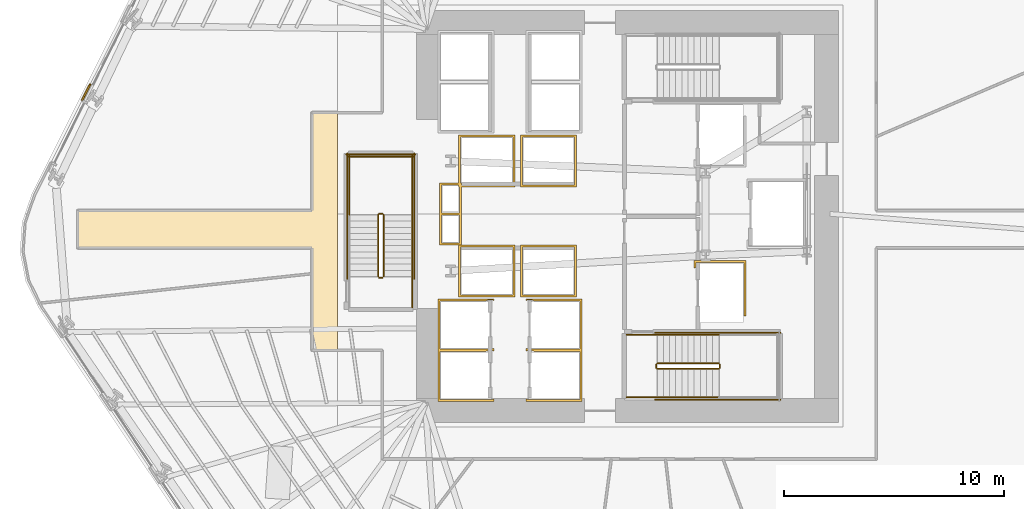
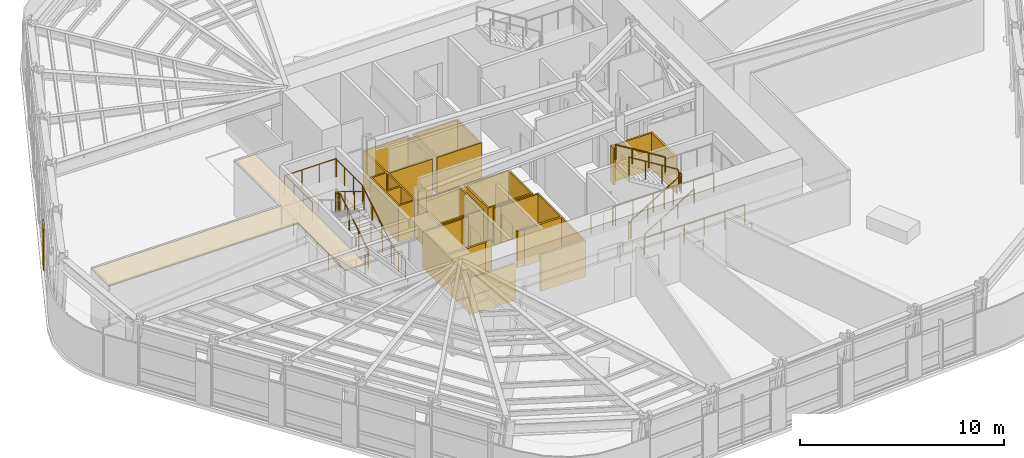
# One storey, part 11 of 15: 22 railings, 9 coverings.
"""IFC4 building model written with IfcOpenShell, lengths in metres."""

from ifc_helpers import new_model, si_unit, direction, frame, origin, origin_2d, place, context, subcontext, project, spatial, polyline, circle, outline, extrude, material, layer, layer_set, type_object, element, save


model = new_model("IFC4")

# Units and contexts
model_context = context("Model", 3, precision=1e-05, world=origin(), true_north=direction((0.0, 1.0)))
body_context = subcontext(model_context, "Body", "Model", "MODEL_VIEW")
ifc_project = project(units=[si_unit("LENGTHUNIT", "METRE"), si_unit("AREAUNIT", "SQUARE_METRE"), si_unit("VOLUMEUNIT", "CUBIC_METRE"), si_unit("PLANEANGLEUNIT", "RADIAN"), si_unit("MASSUNIT", "GRAM", prefix="KILO")], contexts=[model_context])

# Site, building, storey
site_placement = place(None, origin())
site = spatial("IfcSite", under=ifc_project, at=site_placement, CompositionType="ELEMENT")
building_placement = place(site_placement, origin())
building = spatial("IfcBuilding", under=site, at=building_placement, Name="Valkerne Bourse Tower", CompositionType="ELEMENT")
storey_placement = place(building_placement, frame((0.0, 0.0, 39.199951171875)))
storey = spatial("IfcBuildingStorey", under=building, at=storey_placement, Name="L09", CompositionType="ELEMENT", Elevation=39.199951171875)

# Coverings
ifc_material_1 = material(Name="Bronze Anodised Aluminium AA 6063-T6", Category="aluminium")
ifc_layer_1 = layer(ifc_material_1, 0.030029296875)
ifc_layer_set_1 = layer_set([ifc_layer_1], Name="Bronze Anodised Aluminium AA 6063-T6")
covering_type_1 = type_object("IfcCoveringType", Name="COV-CEIL-METAL", PredefinedType="CEILING", material=ifc_layer_set_1)
covering_1_placement = place(storey_placement, frame((0.0, 0.0, 3.22998046875)))
element("IfcCovering", 1, at=covering_1_placement, inside=storey, type_object=covering_type_1, Name="L09 Suspended Ceiling 02", PredefinedType="CEILING", context=body_context, shape_type="SweptSolid", body=[
    extrude(outline(polyline([(32.4541015625, 20.803955078125), (32.4541015625, 25.4541015625), (21.803955078125, 25.4541015625), (21.803955078125, 27.14599609375), (32.4541015625, 27.14599609375), (32.4541015625, 31.595947265625), (33.60009765625, 31.595947265625), (33.60009765625, 20.803955078125), (32.4541015625, 20.803955078125)])), origin(), (0.0, 0.0, 1.0), 0.025146484375),
])
ifc_layer_2 = layer(ifc_material_1, 0.06005859375)
ifc_layer_set_2 = layer_set([ifc_layer_2], Name="Bronze Anodised Aluminium AA 6063-T6")
covering_type_2 = type_object("IfcCoveringType", Name="COV-CRN-ALUM", PredefinedType="CLADDING", material=ifc_layer_set_2)
covering_2_placement = place(storey_placement, origin())
element("IfcCovering", 2, at=covering_2_placement, inside=storey, type_object=covering_type_2, Name="L09 Wind-Shaped Corner Aluminium Cladding 12", PredefinedType="CLADDING", context=body_context, shape_type="SweptSolid", body=[
    extrude(outline(polyline([(22.326904296875, 32.925537109375), (22.398681640625, 32.889892578125), (22.0224609375, 32.138916015625), (21.95068359375, 32.174560546875), (22.326904296875, 32.925537109375)])), origin(), (0.0, 0.0, 1.0), 2.5),
])
ifc_material_2 = material(Name="Gypsum Shaftwall Liner Board", Category="gypsum")
ifc_layer_3 = layer(ifc_material_2, 0.080078125)
ifc_layer_set_3 = layer_set([ifc_layer_3], Name="Gypsum Shaftwall Liner Board")
covering_type_3 = type_object("IfcCoveringType", Name="COV-SHF-CLAD", PredefinedType="CLADDING", material=ifc_layer_set_3)
covering_3_placement = place(storey_placement, origin())
element("IfcCovering", 3, at=covering_3_placement, inside=storey, type_object=covering_type_3, Name="L09 Hoistway & Riser Shaftwall Liner 01", PredefinedType="CLADDING", context=body_context, shape_type="SweptSolid", body=[
    extrude(outline(polyline([(38.169921875, 23.1298828125), (40.72998046875, 23.1298828125), (40.72998046875, 23.052001953125), (40.72216796875, 23.0556640625), (40.6806640625, 23.070556640625), (40.6376953125, 23.081298828125), (40.593994140625, 23.087890625), (40.550048828125, 23.090087890625), (40.505859375, 23.087890625), (40.462158203125, 23.081298828125), (40.41943359375, 23.070556640625), (40.377685546875, 23.0556640625), (40.344482421875, 23.0400390625), (38.260009765625, 23.0400390625), (38.260009765625, 20.860107421875), (40.456787109375, 20.860107421875), (40.462158203125, 20.858642578125), (40.505859375, 20.852294921875), (40.550048828125, 20.85009765625), (40.593994140625, 20.852294921875), (40.6376953125, 20.858642578125), (40.6806640625, 20.869384765625), (40.72216796875, 20.88427734375), (40.72998046875, 20.887939453125), (40.72998046875, 20.830078125), (40.72998046875, 20.77001953125), (40.72998046875, 20.752197265625), (40.72216796875, 20.755615234375), (40.6806640625, 20.7705078125), (40.6376953125, 20.781494140625), (40.593994140625, 20.787841796875), (40.550048828125, 20.7900390625), (40.505859375, 20.787841796875), (40.462158203125, 20.781494140625), (40.41943359375, 20.7705078125), (40.377685546875, 20.755615234375), (40.344482421875, 20.739990234375), (38.260009765625, 20.739990234375), (38.260009765625, 18.56005859375), (40.456787109375, 18.56005859375), (40.462158203125, 18.55859375), (40.505859375, 18.55224609375), (40.550048828125, 18.550048828125), (40.593994140625, 18.55224609375), (40.6376953125, 18.55859375), (40.6806640625, 18.5693359375), (40.72216796875, 18.584228515625), (40.72998046875, 18.587890625), (40.72998046875, 18.469970703125), (38.169921875, 18.469970703125), (38.169921875, 20.77001953125), (38.169921875, 20.830078125), (38.169921875, 23.1298828125)])), origin(), (0.0, 0.0, 1.0), 2.179931640625),
])
covering_4_placement = place(storey_placement, origin())
element("IfcCovering", 4, at=covering_4_placement, inside=storey, type_object=covering_type_3, Name="L09 Hoistway & Riser Shaftwall Liner 02", PredefinedType="CLADDING", context=body_context, shape_type="SweptSolid", body=[
    extrude(outline(polyline([(41.679931640625, 23.219970703125), (39.1201171875, 23.219970703125), (39.1201171875, 25.580078125), (41.679931640625, 25.580078125), (41.679931640625, 23.219970703125)]), holes=[polyline([(39.2099609375, 25.489990234375), (39.2099609375, 23.31005859375), (41.590087890625, 23.31005859375), (41.590087890625, 25.489990234375), (39.2099609375, 25.489990234375)])]), origin(), (0.0, 0.0, 1.0), 2.179931640625),
])
covering_5_placement = place(storey_placement, origin())
element("IfcCovering", 5, at=covering_5_placement, inside=storey, type_object=covering_type_3, Name="L09 Hoistway & Riser Shaftwall Liner 03", PredefinedType="CLADDING", context=body_context, shape_type="SweptSolid", body=[
    extrude(outline(polyline([(44.47998046875, 23.219970703125), (41.919921875, 23.219970703125), (41.919921875, 25.580078125), (44.47998046875, 25.580078125), (44.47998046875, 23.219970703125)]), holes=[polyline([(42.010009765625, 25.489990234375), (42.010009765625, 23.31005859375), (44.389892578125, 23.31005859375), (44.389892578125, 25.489990234375), (42.010009765625, 25.489990234375)])]), origin(), (0.0, 0.0, 1.0), 2.179931640625),
])
covering_6_placement = place(storey_placement, origin())
element("IfcCovering", 6, at=covering_6_placement, inside=storey, type_object=covering_type_3, Name="L09 Hoistway & Riser Shaftwall Liner 04", PredefinedType="CLADDING", context=body_context, shape_type="SweptSolid", body=[
    extrude(outline(polyline([(38.239990234375, 28.409912109375), (39.1201171875, 28.409912109375), (39.1201171875, 30.580078125), (41.679931640625, 30.580078125), (41.679931640625, 28.219970703125), (39.239990234375, 28.219970703125), (39.239990234375, 27.0400390625), (39.239990234375, 26.9599609375), (39.239990234375, 25.590087890625), (38.239990234375, 25.590087890625), (38.239990234375, 26.9599609375), (38.239990234375, 27.0400390625), (38.239990234375, 28.409912109375)]), holes=[polyline([(39.2099609375, 30.489990234375), (39.2099609375, 28.409912109375), (39.239990234375, 28.409912109375), (39.239990234375, 28.31005859375), (41.590087890625, 28.31005859375), (41.590087890625, 30.489990234375), (39.2099609375, 30.489990234375)]), polyline([(38.330078125, 26.949951171875), (38.330078125, 25.679931640625), (39.14990234375, 25.679931640625), (39.14990234375, 26.949951171875), (38.330078125, 26.949951171875)]), polyline([(39.1201171875, 28.219970703125), (39.1201171875, 28.320068359375), (38.330078125, 28.320068359375), (38.330078125, 27.050048828125), (39.14990234375, 27.050048828125), (39.14990234375, 28.219970703125), (39.1201171875, 28.219970703125)])]), origin(), (0.0, 0.0, 1.0), 2.179931640625),
])
covering_7_placement = place(storey_placement, origin())
element("IfcCovering", 7, at=covering_7_placement, inside=storey, type_object=covering_type_3, Name="L09 Hoistway & Riser Shaftwall Liner 06", PredefinedType="CLADDING", context=body_context, shape_type="SweptSolid", body=[
    extrude(outline(polyline([(42.169921875, 20.830078125), (42.169921875, 20.887939453125), (42.177734375, 20.88427734375), (42.219482421875, 20.869384765625), (42.26220703125, 20.858642578125), (42.305908203125, 20.852294921875), (42.35009765625, 20.85009765625), (42.39404296875, 20.852294921875), (42.437744140625, 20.858642578125), (42.443115234375, 20.860107421875), (44.639892578125, 20.860107421875), (44.639892578125, 23.0400390625), (42.555419921875, 23.0400390625), (42.522216796875, 23.0556640625), (42.480712890625, 23.070556640625), (42.437744140625, 23.081298828125), (42.39404296875, 23.087890625), (42.35009765625, 23.090087890625), (42.305908203125, 23.087890625), (42.26220703125, 23.081298828125), (42.219482421875, 23.070556640625), (42.177734375, 23.0556640625), (42.169921875, 23.052001953125), (42.169921875, 23.1298828125), (44.72998046875, 23.1298828125), (44.72998046875, 20.830078125), (44.72998046875, 20.77001953125), (44.72998046875, 18.469970703125), (42.169921875, 18.469970703125), (42.169921875, 18.587890625), (42.177734375, 18.584228515625), (42.219482421875, 18.5693359375), (42.26220703125, 18.55859375), (42.305908203125, 18.55224609375), (42.35009765625, 18.550048828125), (42.39404296875, 18.55224609375), (42.437744140625, 18.55859375), (42.443115234375, 18.56005859375), (44.639892578125, 18.56005859375), (44.639892578125, 20.739990234375), (42.555419921875, 20.739990234375), (42.522216796875, 20.755615234375), (42.480712890625, 20.7705078125), (42.437744140625, 20.781494140625), (42.39404296875, 20.787841796875), (42.35009765625, 20.7900390625), (42.305908203125, 20.787841796875), (42.26220703125, 20.781494140625), (42.219482421875, 20.7705078125), (42.177734375, 20.755615234375), (42.169921875, 20.752197265625), (42.169921875, 20.77001953125), (42.169921875, 20.830078125)])), origin(), (0.0, 0.0, 1.0), 2.179931640625),
])
covering_8_placement = place(storey_placement, origin())
element("IfcCovering", 8, at=covering_8_placement, inside=storey, type_object=covering_type_3, Name="L09 Hoistway & Riser Shaftwall Liner 07", PredefinedType="CLADDING", context=body_context, shape_type="SweptSolid", body=[
    extrude(outline(polyline([(52.179931640625, 22.35009765625), (52.090087890625, 22.35009765625), (52.090087890625, 24.7900390625), (49.909912109375, 24.7900390625), (49.909912109375, 24.560791015625), (49.869384765625, 24.550537109375), (49.827880859375, 24.53564453125), (49.820068359375, 24.531982421875), (49.820068359375, 24.8798828125), (52.179931640625, 24.8798828125), (52.179931640625, 22.35009765625)])), origin(), (0.0, 0.0, 1.0), 2.179931640625),
])
covering_9_placement = place(storey_placement, origin())
element("IfcCovering", 9, at=covering_9_placement, inside=storey, type_object=covering_type_3, Name="L09 Hoistway & Riser Shaftwall Liner 09", PredefinedType="CLADDING", context=body_context, shape_type="SweptSolid", body=[
    extrude(outline(polyline([(44.47998046875, 28.219970703125), (41.919921875, 28.219970703125), (41.919921875, 30.580078125), (44.47998046875, 30.580078125), (44.47998046875, 28.219970703125)]), holes=[polyline([(42.010009765625, 30.489990234375), (42.010009765625, 28.31005859375), (44.389892578125, 28.31005859375), (44.389892578125, 30.489990234375), (42.010009765625, 30.489990234375)])]), origin(), (0.0, 0.0, 1.0), 2.179931640625),
])

# Railings
ifc_material_3 = material(Name="Galvanised Painted Steel", Category="steel")
railing_type_1 = type_object("IfcRailingType", Name="RLG-ST-GUARD-1120", PredefinedType="GUARDRAIL", material=ifc_material_3)
railing_1_placement = place(storey_placement, frame((48.14990234375, 19.949951171875, 0.1728515625)))
element("IfcRailing", 10, at=railing_1_placement, inside=storey, type_object=railing_type_1, Name="L09 ST-1 stair guard 1", PredefinedType="GUARDRAIL", context=body_context, shape_type="SweptSolid", body=[
    extrude(circle(Radius=0.02392578125, at=origin_2d()), frame((0.0, 0.0, 1.09619140625), z_axis=(0.851089632645, 0.0, 0.525020415988), x_axis=(0.0, 1.0, 0.0)), (0.0, 0.0, 1.0), 3.2900390625),
    extrude(circle(Radius=0.02099609375, at=origin_2d()), origin(), (0.0, 0.0, 1.0), 1.072021484375),
    extrude(circle(Radius=0.02099609375, at=origin_2d()), frame((0.933349609375, 0.0, 0.57568359375)), (0.0, 0.0, 1.0), 1.072021484375),
    extrude(circle(Radius=0.02099609375, at=origin_2d()), frame((1.86669921875, 0.0, 1.151611328125)), (0.0, 0.0, 1.0), 1.072021484375),
    extrude(circle(Radius=0.02099609375, at=origin_2d()), frame((2.800048828125, 0.0, 1.727294921875)), (0.0, 0.0, 1.0), 1.072021484375),
])
railing_2_placement = place(storey_placement, frame((51.0, 20.0, 1.900146484375)))
element("IfcRailing", 11, at=railing_2_placement, inside=storey, type_object=railing_type_1, Name="L09 ST-1 stair guard 2", PredefinedType="GUARDRAIL", context=body_context, shape_type="SweptSolid", body=[
    extrude(circle(Radius=0.02392578125, at=origin_2d()), frame((0.0, 0.0, 1.09619140625), z_axis=(0.0, 1.0, 0.0), x_axis=(-1.0, 0.0, 0.0)), (0.0, 0.0, 1.0), 0.14990234375),
    extrude(circle(Radius=0.02099609375, at=origin_2d()), origin(), (0.0, 0.0, 1.0), 1.072021484375),
    extrude(circle(Radius=0.02099609375, at=origin_2d()), frame((0.0, 0.14990234375, 0.0)), (0.0, 0.0, 1.0), 1.072021484375),
])
railing_3_placement = place(storey_placement, frame((50.949951171875, 20.199951171875, 2.07275390625)))
element("IfcRailing", 12, at=railing_3_placement, inside=storey, type_object=railing_type_1, Name="L09 ST-1 stair guard 6", PredefinedType="GUARDRAIL", context=body_context, shape_type="SweptSolid", body=[
    extrude(circle(Radius=0.02392578125, at=origin_2d()), frame((0.0, 0.0, 1.09619140625), z_axis=(-0.851089632645, 0.0, 0.525020415988), x_axis=(0.0, -1.0, 0.0)), (0.0, 0.0, 1.0), 3.2900390625),
    extrude(circle(Radius=0.02099609375, at=origin_2d()), origin(), (0.0, 0.0, 1.0), 1.072021484375),
    extrude(circle(Radius=0.02099609375, at=origin_2d()), frame((-0.933349609375, 0.0, 0.57568359375)), (0.0, 0.0, 1.0), 1.072021484375),
    extrude(circle(Radius=0.02099609375, at=origin_2d()), frame((-1.86669921875, 0.0, 1.151611328125)), (0.0, 0.0, 1.0), 1.072021484375),
    extrude(circle(Radius=0.02099609375, at=origin_2d()), frame((-2.800048828125, 0.0, 1.727294921875)), (0.0, 0.0, 1.0), 1.072021484375),
])
railing_4_placement = place(storey_placement, frame((48.10009765625, 20.0, 0.0)))
element("IfcRailing", 13, at=railing_4_placement, inside=storey, type_object=railing_type_1, Name="L09 ST-1 stair guard 7", PredefinedType="GUARDRAIL", context=body_context, shape_type="SweptSolid", body=[
    extrude(circle(Radius=0.02392578125, at=origin_2d()), frame((0.0, 0.0, 1.09619140625), z_axis=(0.0, 1.0, 0.0), x_axis=(-1.0, 0.0, 0.0)), (0.0, 0.0, 1.0), 0.14990234375),
    extrude(circle(Radius=0.02099609375, at=origin_2d()), origin(), (0.0, 0.0, 1.0), 1.072021484375),
    extrude(circle(Radius=0.02099609375, at=origin_2d()), frame((0.0, 0.14990234375, 0.0)), (0.0, 0.0, 1.0), 1.072021484375),
])
for number, where, name in (
    (14, (46.75, 18.64990234375, 0.0), "L09 ST-1 stair guard 8"),
    (15, (46.75, 21.5, 0.0), "L09 ST-1 stair guard 9"),
):
    element("IfcRailing", number, at=place(storey_placement, frame(where)), inside=storey, type_object=railing_type_1, Name=name, PredefinedType="GUARDRAIL", context=body_context, shape_type="SweptSolid", body=[
        extrude(circle(Radius=0.02392578125, at=origin_2d()), frame((0.0, 0.0, 1.09619140625), z_axis=(1.0, 0.0, 0.0), x_axis=(0.0, 1.0, 0.0)), (0.0, 0.0, 1.0), 1.39990234375),
        extrude(circle(Radius=0.02099609375, at=origin_2d()), origin(), (0.0, 0.0, 1.0), 1.072021484375),
        extrude(circle(Radius=0.02099609375, at=origin_2d()), frame((0.699951171875, 0.0, 0.0)), (0.0, 0.0, 1.0), 1.072021484375),
        extrude(circle(Radius=0.02099609375, at=origin_2d()), frame((1.39990234375, 0.0, 0.0)), (0.0, 0.0, 1.0), 1.072021484375),
    ])
for number, where, name in (
    (16, (48.050048828125, 18.550048828125, 0.0), "L09 ST-1 stair guard 10"),
    (17, (48.050048828125, 21.60009765625, 0.0), "L09 ST-1 stair guard 11"),
):
    element("IfcRailing", number, at=place(storey_placement, frame(where)), inside=storey, type_object=railing_type_1, Name=name, PredefinedType="GUARDRAIL", context=body_context, shape_type="SweptSolid", body=[
        extrude(circle(Radius=0.02392578125, at=origin_2d()), frame((0.0, 0.0, 1.09619140625), z_axis=(1.0, 0.0, 0.0), x_axis=(0.0, 1.0, 0.0)), (0.0, 0.0, 1.0), 5.699951171875),
        extrude(circle(Radius=0.02099609375, at=origin_2d()), origin(), (0.0, 0.0, 1.0), 1.072021484375),
        extrude(circle(Radius=0.02099609375, at=origin_2d()), frame((1.139892578125, 0.0, 0.0)), (0.0, 0.0, 1.0), 1.072021484375),
        extrude(circle(Radius=0.02099609375, at=origin_2d()), frame((2.280029296875, 0.0, 0.0)), (0.0, 0.0, 1.0), 1.072021484375),
        extrude(circle(Radius=0.02099609375, at=origin_2d()), frame((3.419921875, 0.0, 0.0)), (0.0, 0.0, 1.0), 1.072021484375),
        extrude(circle(Radius=0.02099609375, at=origin_2d()), frame((4.56005859375, 0.0, 0.0)), (0.0, 0.0, 1.0), 1.072021484375),
        extrude(circle(Radius=0.02099609375, at=origin_2d()), frame((5.699951171875, 0.0, 0.0)), (0.0, 0.0, 1.0), 1.072021484375),
    ])
railing_5_placement = place(storey_placement, frame((35.699951171875, 24.14990234375, 0.1728515625)))
element("IfcRailing", 18, at=railing_5_placement, inside=storey, type_object=railing_type_1, Name="L09 ST-3 stair guard 1", PredefinedType="GUARDRAIL", context=body_context, shape_type="SweptSolid", body=[
    extrude(circle(Radius=0.02392578125, at=origin_2d()), frame((0.0, 0.0, 1.09619140625), z_axis=(0.0, 0.851089632645, 0.525020415988), x_axis=(-1.0, 0.0, 0.0)), (0.0, 0.0, 1.0), 3.2900390625),
    extrude(circle(Radius=0.02099609375, at=origin_2d()), origin(), (0.0, 0.0, 1.0), 1.072021484375),
    extrude(circle(Radius=0.02099609375, at=origin_2d()), frame((0.0, 0.933349609375, 0.57568359375)), (0.0, 0.0, 1.0), 1.072021484375),
    extrude(circle(Radius=0.02099609375, at=origin_2d()), frame((0.0, 1.86669921875, 1.151611328125)), (0.0, 0.0, 1.0), 1.072021484375),
    extrude(circle(Radius=0.02099609375, at=origin_2d()), frame((0.0, 2.800048828125, 1.727294921875)), (0.0, 0.0, 1.0), 1.072021484375),
])
railing_6_placement = place(storey_placement, frame((35.64990234375, 27.0, 1.900146484375)))
element("IfcRailing", 19, at=railing_6_placement, inside=storey, type_object=railing_type_1, Name="L09 ST-3 stair guard 2", PredefinedType="GUARDRAIL", context=body_context, shape_type="SweptSolid", body=[
    extrude(circle(Radius=0.02392578125, at=origin_2d()), frame((0.0, 0.0, 1.09619140625), z_axis=(-1.0, 0.0, 0.0), x_axis=(0.0, -1.0, 0.0)), (0.0, 0.0, 1.0), 0.14990234375),
    extrude(circle(Radius=0.02099609375, at=origin_2d()), origin(), (0.0, 0.0, 1.0), 1.072021484375),
    extrude(circle(Radius=0.02099609375, at=origin_2d()), frame((-0.14990234375, 0.0, 0.0)), (0.0, 0.0, 1.0), 1.072021484375),
])
for number, where, name in (
    (20, (37.0, 26.949951171875, 1.900146484375), "L09 ST-3 stair guard 3"),
    (21, (34.14990234375, 26.949951171875, 1.900146484375), "L09 ST-3 stair guard 4"),
):
    element("IfcRailing", number, at=place(storey_placement, frame(where)), inside=storey, type_object=railing_type_1, Name=name, PredefinedType="GUARDRAIL", context=body_context, shape_type="SweptSolid", body=[
        extrude(circle(Radius=0.02392578125, at=origin_2d()), frame((0.0, 0.0, 1.09619140625), z_axis=(0.0, 1.0, 0.0), x_axis=(-1.0, 0.0, 0.0)), (0.0, 0.0, 1.0), 2.699951171875),
        extrude(circle(Radius=0.02099609375, at=origin_2d()), origin(), (0.0, 0.0, 1.0), 1.072021484375),
        extrude(circle(Radius=0.02099609375, at=origin_2d()), frame((0.0, 0.89990234375, 0.0)), (0.0, 0.0, 1.0), 1.072021484375),
        extrude(circle(Radius=0.02099609375, at=origin_2d()), frame((0.0, 1.800048828125, 0.0)), (0.0, 0.0, 1.0), 1.072021484375),
        extrude(circle(Radius=0.02099609375, at=origin_2d()), frame((0.0, 2.699951171875, 0.0)), (0.0, 0.0, 1.0), 1.072021484375),
    ])
railing_7_placement = place(storey_placement, frame((37.050048828125, 29.60009765625, 1.900146484375)))
element("IfcRailing", 22, at=railing_7_placement, inside=storey, type_object=railing_type_1, Name="L09 ST-3 stair guard 5", PredefinedType="GUARDRAIL", context=body_context, shape_type="SweptSolid", body=[
    extrude(circle(Radius=0.02392578125, at=origin_2d()), frame((0.0, 0.0, 1.09619140625), z_axis=(-1.0, 0.0, 0.0), x_axis=(0.0, -1.0, 0.0)), (0.0, 0.0, 1.0), 2.949951171875),
    extrude(circle(Radius=0.02099609375, at=origin_2d()), origin(), (0.0, 0.0, 1.0), 1.072021484375),
    extrude(circle(Radius=0.02099609375, at=origin_2d()), frame((-0.9833984375, 0.0, 0.0)), (0.0, 0.0, 1.0), 1.072021484375),
    extrude(circle(Radius=0.02099609375, at=origin_2d()), frame((-1.966552734375, 0.0, 0.0)), (0.0, 0.0, 1.0), 1.072021484375),
    extrude(circle(Radius=0.02099609375, at=origin_2d()), frame((-2.949951171875, 0.0, 0.0)), (0.0, 0.0, 1.0), 1.072021484375),
])
railing_8_placement = place(storey_placement, frame((35.449951171875, 26.949951171875, 2.07275390625)))
element("IfcRailing", 23, at=railing_8_placement, inside=storey, type_object=railing_type_1, Name="L09 ST-3 stair guard 6", PredefinedType="GUARDRAIL", context=body_context, shape_type="SweptSolid", body=[
    extrude(circle(Radius=0.02392578125, at=origin_2d()), frame((0.0, 0.0, 1.09619140625), z_axis=(0.0, -0.851089632645, 0.525020415988), x_axis=(1.0, 0.0, 0.0)), (0.0, 0.0, 1.0), 3.2900390625),
    extrude(circle(Radius=0.02099609375, at=origin_2d()), origin(), (0.0, 0.0, 1.0), 1.072021484375),
    extrude(circle(Radius=0.02099609375, at=origin_2d()), frame((0.0, -0.933349609375, 0.57568359375)), (0.0, 0.0, 1.0), 1.072021484375),
    extrude(circle(Radius=0.02099609375, at=origin_2d()), frame((0.0, -1.86669921875, 1.151611328125)), (0.0, 0.0, 1.0), 1.072021484375),
    extrude(circle(Radius=0.02099609375, at=origin_2d()), frame((0.0, -2.800048828125, 1.727294921875)), (0.0, 0.0, 1.0), 1.072021484375),
])
railing_9_placement = place(storey_placement, frame((35.64990234375, 24.10009765625, 0.0)))
element("IfcRailing", 24, at=railing_9_placement, inside=storey, type_object=railing_type_1, Name="L09 ST-3 stair guard 7", PredefinedType="GUARDRAIL", context=body_context, shape_type="SweptSolid", body=[
    extrude(circle(Radius=0.02392578125, at=origin_2d()), frame((0.0, 0.0, 1.09619140625), z_axis=(-1.0, 0.0, 0.0), x_axis=(0.0, -1.0, 0.0)), (0.0, 0.0, 1.0), 0.14990234375),
    extrude(circle(Radius=0.02099609375, at=origin_2d()), origin(), (0.0, 0.0, 1.0), 1.072021484375),
    extrude(circle(Radius=0.02099609375, at=origin_2d()), frame((-0.14990234375, 0.0, 0.0)), (0.0, 0.0, 1.0), 1.072021484375),
])
railing_10_placement = place(storey_placement, frame((37.0, 22.75, 0.0)))
element("IfcRailing", 25, at=railing_10_placement, inside=storey, type_object=railing_type_1, Name="L09 ST-3 stair guard 8", PredefinedType="GUARDRAIL", context=body_context, shape_type="SweptSolid", body=[
    extrude(circle(Radius=0.02392578125, at=origin_2d()), frame((0.0, 0.0, 1.09619140625), z_axis=(0.0, 1.0, 0.0), x_axis=(-1.0, 0.0, 0.0)), (0.0, 0.0, 1.0), 1.39990234375),
    extrude(circle(Radius=0.02099609375, at=origin_2d()), origin(), (0.0, 0.0, 1.0), 1.072021484375),
    extrude(circle(Radius=0.02099609375, at=origin_2d()), frame((0.0, 0.699951171875, 0.0)), (0.0, 0.0, 1.0), 1.072021484375),
    extrude(circle(Radius=0.02099609375, at=origin_2d()), frame((0.0, 1.39990234375, 0.0)), (0.0, 0.0, 1.0), 1.072021484375),
])
for number, where, name in (
    (26, (37.10009765625, 24.050048828125, 0.0), "L09 ST-3 stair guard 10"),
    (27, (34.050048828125, 24.050048828125, 0.0), "L09 ST-3 stair guard 11"),
):
    element("IfcRailing", number, at=place(storey_placement, frame(where)), inside=storey, type_object=railing_type_1, Name=name, PredefinedType="GUARDRAIL", context=body_context, shape_type="SweptSolid", body=[
        extrude(circle(Radius=0.02392578125, at=origin_2d()), frame((0.0, 0.0, 1.09619140625), z_axis=(0.0, 1.0, 0.0), x_axis=(-1.0, 0.0, 0.0)), (0.0, 0.0, 1.0), 5.699951171875),
        extrude(circle(Radius=0.02099609375, at=origin_2d()), origin(), (0.0, 0.0, 1.0), 1.072021484375),
        extrude(circle(Radius=0.02099609375, at=origin_2d()), frame((0.0, 1.139892578125, 0.0)), (0.0, 0.0, 1.0), 1.072021484375),
        extrude(circle(Radius=0.02099609375, at=origin_2d()), frame((0.0, 2.280029296875, 0.0)), (0.0, 0.0, 1.0), 1.072021484375),
        extrude(circle(Radius=0.02099609375, at=origin_2d()), frame((0.0, 3.419921875, 0.0)), (0.0, 0.0, 1.0), 1.072021484375),
        extrude(circle(Radius=0.02099609375, at=origin_2d()), frame((0.0, 4.56005859375, 0.0)), (0.0, 0.0, 1.0), 1.072021484375),
        extrude(circle(Radius=0.02099609375, at=origin_2d()), frame((0.0, 5.699951171875, 0.0)), (0.0, 0.0, 1.0), 1.072021484375),
    ])
railing_11_placement = place(storey_placement, frame((37.14990234375, 29.699951171875, 0.0)))
element("IfcRailing", 28, at=railing_11_placement, inside=storey, type_object=railing_type_1, Name="L09 ST-3 stair guard 12", PredefinedType="GUARDRAIL", context=body_context, shape_type="SweptSolid", body=[
    extrude(circle(Radius=0.02392578125, at=origin_2d()), frame((0.0, 0.0, 1.09619140625), z_axis=(-1.0, 0.0, 0.0), x_axis=(0.0, -1.0, 0.0)), (0.0, 0.0, 1.0), 3.14990234375),
    extrude(circle(Radius=0.02099609375, at=origin_2d()), origin(), (0.0, 0.0, 1.0), 1.072021484375),
    extrude(circle(Radius=0.02099609375, at=origin_2d()), frame((-1.050048828125, 0.0, 0.0)), (0.0, 0.0, 1.0), 1.072021484375),
    extrude(circle(Radius=0.02099609375, at=origin_2d()), frame((-2.099853515625, 0.0, 0.0)), (0.0, 0.0, 1.0), 1.072021484375),
    extrude(circle(Radius=0.02099609375, at=origin_2d()), frame((-3.14990234375, 0.0, 0.0)), (0.0, 0.0, 1.0), 1.072021484375),
])
ifc_material_4 = material(Name="Stainless Steel AISI 316", Category="steel")
railing_type_2 = type_object("IfcRailingType", Name="RLG-ST-HANDRAIL-900", PredefinedType="HANDRAIL", material=ifc_material_4)
railing_12_placement = place(storey_placement, frame((48.14990234375, 18.64990234375, 0.345458984375)))
element("IfcRailing", 29, at=railing_12_placement, inside=storey, type_object=railing_type_2, Name="L09 ST-1 stair handrail 1", PredefinedType="HANDRAIL", context=body_context, shape_type="SweptSolid", body=[
    extrude(circle(Radius=0.02392578125, at=origin_2d()), frame((0.0, 0.0, 0.8759765625), z_axis=(0.851089632645, 0.0, 0.525020415988), x_axis=(0.0, 1.0, 0.0)), (0.0, 0.0, 1.0), 3.2900390625),
    extrude(circle(Radius=0.02099609375, at=origin_2d()), origin(), (0.0, 0.0, 1.0), 0.851806640625),
    extrude(circle(Radius=0.02099609375, at=origin_2d()), frame((0.933349609375, 0.0, 0.57568359375)), (0.0, 0.0, 1.0), 0.851806640625),
    extrude(circle(Radius=0.02099609375, at=origin_2d()), frame((1.86669921875, 0.0, 1.151611328125)), (0.0, 0.0, 1.0), 0.851806640625),
    extrude(circle(Radius=0.02099609375, at=origin_2d()), frame((2.800048828125, 0.0, 1.727294921875)), (0.0, 0.0, 1.0), 0.851806640625),
])
railing_13_placement = place(storey_placement, frame((50.949951171875, 21.5, 2.24560546875)))
element("IfcRailing", 30, at=railing_13_placement, inside=storey, type_object=railing_type_2, Name="L09 ST-1 stair handrail 2", PredefinedType="HANDRAIL", context=body_context, shape_type="SweptSolid", body=[
    extrude(circle(Radius=0.02392578125, at=origin_2d()), frame((0.0, 0.0, 0.8759765625), z_axis=(-0.851122791225, 0.0, 0.524966660138), x_axis=(0.0, -1.0, 0.0)), (0.0, 0.0, 1.0), 3.289794921875),
    extrude(circle(Radius=0.02099609375, at=origin_2d()), origin(), (0.0, 0.0, 1.0), 0.851806640625),
    extrude(circle(Radius=0.02099609375, at=origin_2d()), frame((-0.933349609375, 0.0, 0.57568359375)), (0.0, 0.0, 1.0), 0.851806640625),
    extrude(circle(Radius=0.02099609375, at=origin_2d()), frame((-1.86669921875, 0.0, 1.1513671875)), (0.0, 0.0, 1.0), 0.851806640625),
    extrude(circle(Radius=0.02099609375, at=origin_2d()), frame((-2.800048828125, 0.0, 1.72705078125)), (0.0, 0.0, 1.0), 0.851806640625),
])
railing_14_placement = place(storey_placement, frame((37.0, 24.14990234375, 0.345458984375)))
element("IfcRailing", 31, at=railing_14_placement, inside=storey, type_object=railing_type_2, Name="L09 ST-3 stair handrail 1", PredefinedType="HANDRAIL", context=body_context, shape_type="SweptSolid", body=[
    extrude(circle(Radius=0.02392578125, at=origin_2d()), frame((0.0, 0.0, 0.8759765625), z_axis=(0.0, 0.851089632645, 0.525020415988), x_axis=(-1.0, 0.0, 0.0)), (0.0, 0.0, 1.0), 3.2900390625),
    extrude(circle(Radius=0.02099609375, at=origin_2d()), origin(), (0.0, 0.0, 1.0), 0.851806640625),
    extrude(circle(Radius=0.02099609375, at=origin_2d()), frame((0.0, 0.933349609375, 0.57568359375)), (0.0, 0.0, 1.0), 0.851806640625),
    extrude(circle(Radius=0.02099609375, at=origin_2d()), frame((0.0, 1.86669921875, 1.151611328125)), (0.0, 0.0, 1.0), 0.851806640625),
    extrude(circle(Radius=0.02099609375, at=origin_2d()), frame((0.0, 2.800048828125, 1.727294921875)), (0.0, 0.0, 1.0), 0.851806640625),
])

save(model, "model.ifc")
